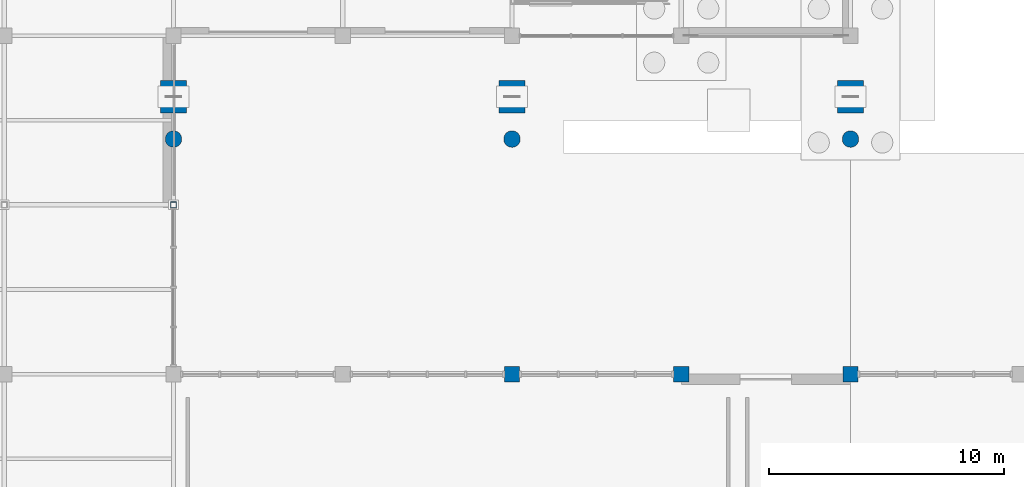
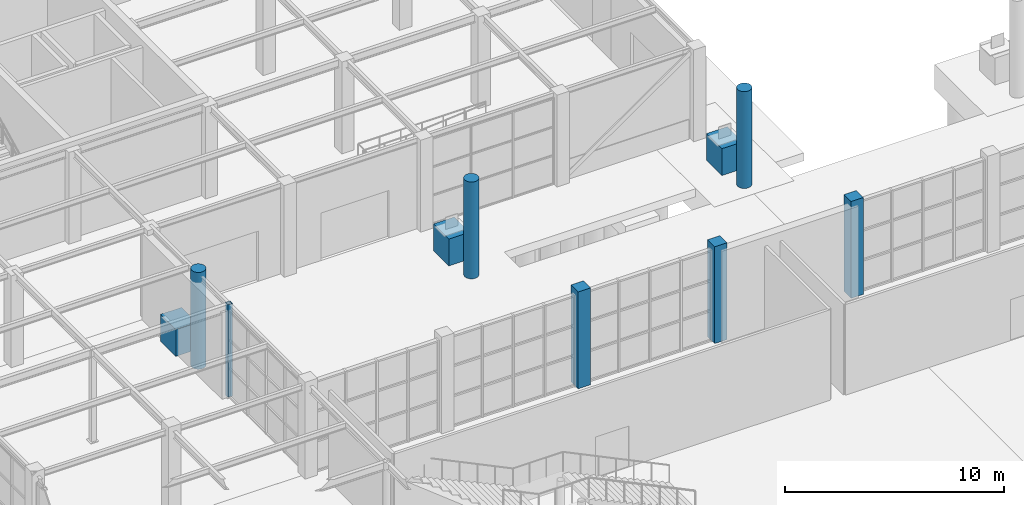
# One storey, part 8 of 75: 10 columns.
"""IFC4 building model written with IfcOpenShell, lengths in metres."""

from ifc_helpers import new_model, si_unit, direction, frame, origin, origin_2d, place, context, subcontext, project, spatial, rectangle, hollow_rectangle, circle, extrude, material, material_profile, profile_set, type_object, element, save


model = new_model("IFC4")

# Units and contexts
model_context = context("Model", 3, precision=1e-05, world=origin(), true_north=direction((0.0, 1.0)))
body_context = subcontext(model_context, "Body", "Model", "MODEL_VIEW")
ifc_project = project(units=[si_unit("LENGTHUNIT", "METRE"), si_unit("AREAUNIT", "SQUARE_METRE"), si_unit("VOLUMEUNIT", "CUBIC_METRE"), si_unit("PLANEANGLEUNIT", "RADIAN"), si_unit("MASSUNIT", "GRAM", prefix="KILO")], contexts=[model_context])

# Site, building, storey
site_placement = place(None, origin())
site = spatial("IfcSite", under=ifc_project, at=site_placement, CompositionType="ELEMENT")
building_placement = place(site_placement, origin())
building = spatial("IfcBuilding", under=site, at=building_placement, Name="Leyfeld Transit Interchange", CompositionType="ELEMENT")
storey_placement = place(building_placement, origin())
storey = spatial("IfcBuildingStorey", under=building, at=storey_placement, Name="L00", CompositionType="ELEMENT", Elevation=0.0)

# Columns
ifc_material_1 = material(Name="Concrete C40/50", Category="concrete")
ifc_material_profile_1 = material_profile(ifc_material_1, rectangle(XDim=1.10009765625, YDim=1.39990234375, at=origin_2d()), Name="RC 1400x1100")
ifc_profile_set_1 = profile_set([ifc_material_profile_1], Name="Concrete C40/50")
column_type_1 = type_object("IfcColumnType", Name="COL-BUTT-1400", PredefinedType="COLUMN", material=ifc_profile_set_1)
for number, where, z_axis, x_axis, name in (
    (1, (14.39990234375, 62.199951171875, 0.0), (0.0, 0.0, 1.0), (1.0, 0.0, 0.0), "Column COL-L00-0144_0622"),
    (2, (28.800048828125, 62.199951171875, 0.0), (0.0, 0.0, 1.0), (1.0, 0.0, 0.0), "Column COL-L00-0288_0622"),
    (3, (43.199951171875, 62.199951171875, 0.0), (0.0, 0.0, 1.0), (1.0, 0.0, 0.0), "Column COL-L00-0432_0622"),
):
    element("IfcColumn", number, at=place(storey_placement, frame(where, z_axis=z_axis, x_axis=x_axis)), inside=storey, type_object=column_type_1, Name=name, PredefinedType="COLUMN", context=body_context, shape_type="SweptSolid", body=[
        extrude(rectangle(XDim=1.10009765625, YDim=1.39990234375, at=origin_2d()), origin(), (0.0, 0.0, 1.0), 1.5),
    ])
ifc_material_2 = material(Name="Concrete C35/45", Category="concrete")
ifc_material_profile_2 = material_profile(ifc_material_2, rectangle(XDim=0.64990234375, YDim=0.64990234375, at=origin_2d()), Name="RC 650x650")
ifc_profile_set_2 = profile_set([ifc_material_profile_2], Name="Concrete C35/45")
column_type_2 = type_object("IfcColumnType", Name="COL-RC-650", PredefinedType="COLUMN", material=ifc_profile_set_2)
for number, where, z_axis, x_axis, name in (
    (4, (28.800048828125, 50.39990234375, 0.0), (0.0, 0.0, 1.0), (1.0, 0.0, 0.0), "Column COL-L00-0288_0504"),
    (5, (36.0, 50.39990234375, 0.0), (0.0, 0.0, 1.0), (1.0, 0.0, 0.0), "Column COL-L00-0360_0504"),
    (6, (43.199951171875, 50.39990234375, 0.0), (0.0, 0.0, 1.0), (1.0, 0.0, 0.0), "Column COL-L00-0432_0504"),
):
    element("IfcColumn", number, at=place(storey_placement, frame(where, z_axis=z_axis, x_axis=x_axis)), inside=storey, type_object=column_type_2, Name=name, PredefinedType="COLUMN", context=body_context, shape_type="SweptSolid", body=[
        extrude(rectangle(XDim=0.64990234375, YDim=0.64990234375, at=origin_2d()), origin(), (0.0, 0.0, 1.0), 5.39990234375),
    ])
ifc_material_profile_3 = material_profile(ifc_material_2, circle(Radius=0.35009765625, at=origin_2d()), Name="RC D700")
ifc_profile_set_3 = profile_set([ifc_material_profile_3], Name="Concrete C35/45")
column_type_3 = type_object("IfcColumnType", Name="COL-RC-D700", PredefinedType="COLUMN", material=ifc_profile_set_3)
for number, where, z_axis, x_axis, name in (
    (7, (14.39990234375, 60.39990234375, 0.0), (0.0, 0.0, 1.0), (1.0, 0.0, 0.0), "Column COL-L00-0144_0604"),
    (8, (28.800048828125, 60.39990234375, 0.0), (0.0, 0.0, 1.0), (1.0, 0.0, 0.0), "Column COL-L00-0288_0604"),
    (9, (43.199951171875, 60.39990234375, 0.0), (0.0, 0.0, 1.0), (1.0, 0.0, 0.0), "Column COL-L00-0432_0604"),
):
    element("IfcColumn", number, at=place(storey_placement, frame(where, z_axis=z_axis, x_axis=x_axis)), inside=storey, type_object=column_type_3, Name=name, PredefinedType="COLUMN", context=body_context, shape_type="SweptSolid", body=[
        extrude(circle(Radius=0.35009765625, at=origin_2d()), origin(), (0.0, 0.0, 1.0), 5.39990234375),
    ])
ifc_material_3 = material(Name="Steel S355J2", Category="steel")
ifc_material_profile_4 = material_profile(ifc_material_3, hollow_rectangle(XDim=0.25, YDim=0.25, WallThickness=0.012451171875, at=origin_2d()), Name="SHS 250x250x12.5")
ifc_profile_set_4 = profile_set([ifc_material_profile_4], Name="Steel S355J2")
column_type_4 = type_object("IfcColumnType", Name="COL-STL-SHS250", PredefinedType="COLUMN", material=ifc_profile_set_4)
column_placement = place(storey_placement, frame((14.39990234375, 57.60009765625, 0.0), z_axis=(0.0, 0.0, 1.0), x_axis=(1.0, 0.0, 0.0)))
element("IfcColumn", 10, at=column_placement, inside=storey, type_object=column_type_4, Name="Column COL-L00-0144_0576", PredefinedType="COLUMN", context=body_context, shape_type="SweptSolid", body=[
    extrude(hollow_rectangle(XDim=0.25, YDim=0.25, WallThickness=0.012451171875, at=origin_2d()), origin(), (0.0, 0.0, 1.0), 5.159912109375),
])

save(model, "model.ifc")
